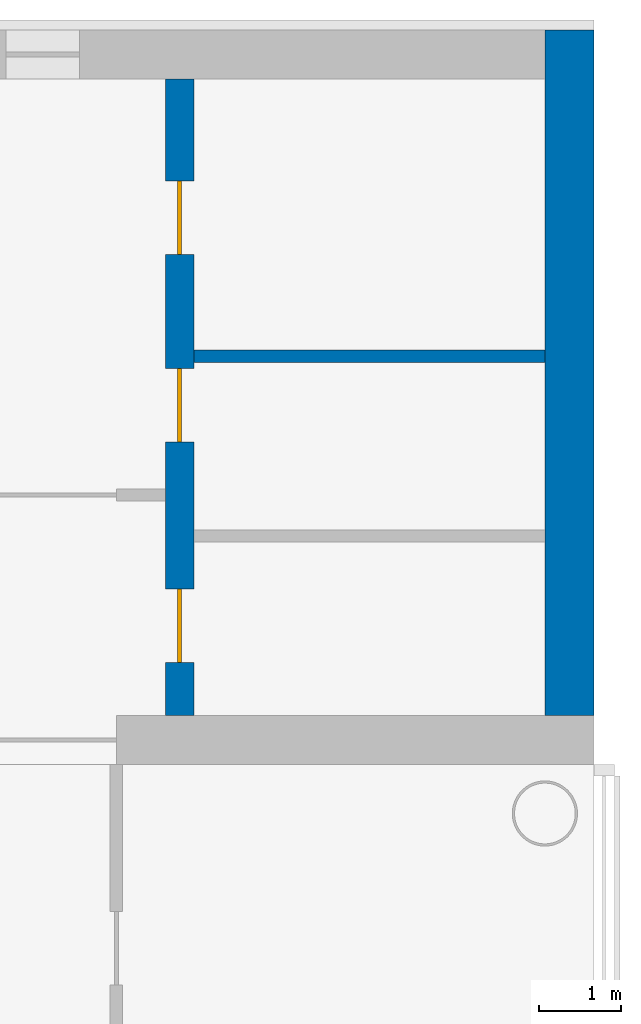
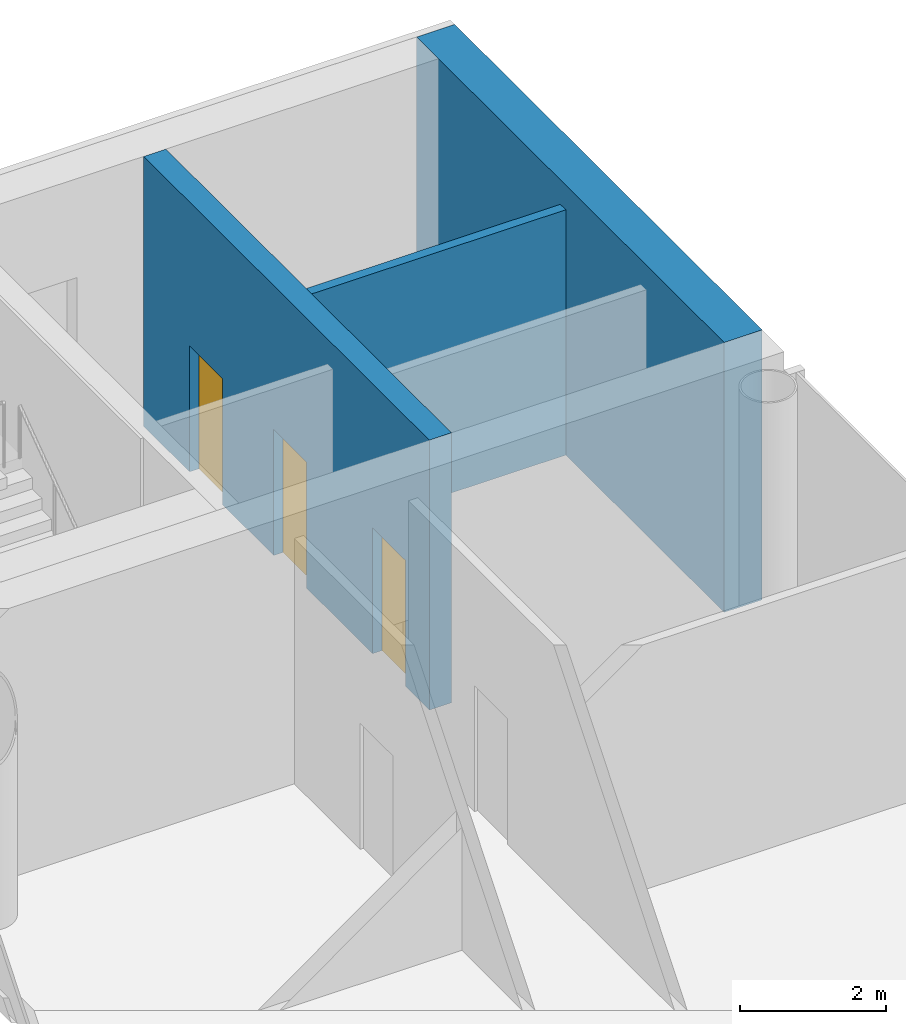
# One storey, part 7 of 12: 3 doors, 3 walls, 3 openings.
"""IFC4 building model written with IfcOpenShell, lengths in metres."""

import ifcopenshell
import ifcopenshell.guid

model = None  # the IFC model being written
_history = None  # IfcOwnerHistory: only IFC2X3 demands one
_inside = {}  # id of a spatial element -> (the spatial element, [elements in it])
_under = {}  # id of a project, library or spatial element -> (it, [spatial elements below it])
_declared = {}  # id of a project -> (the project, [libraries it declares])
_typed = {}  # id of a type object -> (the type object, [elements of that type])
_made_of = {}  # id of a material, layer set ... -> (it, [elements and type objects made of it])


def new_model(schema):
    """Start an empty IFC model of exactly this schema.

    Asked for "IFC4X3", IfcOpenShell would pick the latest addendum, in which some entities
    have other attributes; the version numbers below select the first issue.
    IFC2X3 requires an IfcOwnerHistory on every rooted entity: one is made here for all.
    """
    global model, _history
    if schema == "IFC4X3":
        model = ifcopenshell.file(schema_version=(4, 3, 0, 0))
    else:
        model = ifcopenshell.file(schema=schema)
    _inside.clear()
    _under.clear()
    _declared.clear()
    _typed.clear()
    _made_of.clear()
    _history = None
    if model.schema == "IFC2X3":
        org = make("IfcOrganization", Name="unknown")
        user = make(
            "IfcPersonAndOrganization",
            ThePerson=make("IfcPerson", FamilyName="unknown"),
            TheOrganization=org,
        )
        app = make(
            "IfcApplication",
            ApplicationDeveloper=org,
            Version="unknown",
            ApplicationFullName="unknown",
            ApplicationIdentifier="unknown",
        )
        _history = make(
            "IfcOwnerHistory",
            OwningUser=user,
            OwningApplication=app,
            ChangeAction="ADDED",
            CreationDate=0,
        )
    return model


def make(cls, **values):
    """One entity of the class cls with the attributes given. An attribute that is None is left unset."""
    return model.create_entity(
        cls, **{name: value for name, value in values.items() if value is not None}
    )


def rooted(cls, **values):
    """An entity with a GlobalId (a new one), such as an element, a storey or a relation."""
    return make(cls, GlobalId=ifcopenshell.guid.new(), OwnerHistory=_history, **values)


def si_unit(unit_type, name, prefix=None):
    """IfcSIUnit, for example si_unit("LENGTHUNIT", "METRE", prefix="MILLI")."""
    return make("IfcSIUnit", UnitType=unit_type, Prefix=prefix, Name=name)


def assignment(units):
    """IfcUnitAssignment: the units of a project."""
    return None if units is None else make("IfcUnitAssignment", Units=units)


def point(xyz):
    """IfcCartesianPoint."""
    return None if xyz is None else make("IfcCartesianPoint", Coordinates=xyz)


def direction(xyz):
    """IfcDirection."""
    return None if xyz is None else make("IfcDirection", DirectionRatios=xyz)


def frame(location, z_axis=None, x_axis=None):
    """IfcAxis2Placement3D, a coordinate frame: its origin and axes. An axis left out is left unset."""
    return make(
        "IfcAxis2Placement3D",
        Location=point(location),
        Axis=direction(z_axis),
        RefDirection=direction(x_axis),
    )


def frame_2d(location, x_axis=None):
    """IfcAxis2Placement2D, a coordinate frame in the plane: its origin and x axis."""
    return make(
        "IfcAxis2Placement2D", Location=point(location), RefDirection=direction(x_axis)
    )


def origin():
    """The frame at (0, 0, 0) with its axes left unset."""
    return frame((0.0, 0.0, 0.0))


def place(relative_to, where):
    """IfcLocalPlacement: puts the frame where relative to a parent placement (None: the world)."""
    return make(
        "IfcLocalPlacement", PlacementRelTo=relative_to, RelativePlacement=where
    )


def context(
    kind, dimensions, precision=None, world=None, true_north=None, identifier=None
):
    """IfcGeometricRepresentationContext, for example the 3D "Model" context."""
    return make(
        "IfcGeometricRepresentationContext",
        ContextIdentifier=identifier,
        ContextType=kind,
        CoordinateSpaceDimension=dimensions,
        Precision=precision,
        WorldCoordinateSystem=world,
        TrueNorth=true_north,
    )


def subcontext(parent, identifier, kind, view, scale=None):
    """IfcGeometricRepresentationSubContext, for example "Body" below "Model"."""
    return make(
        "IfcGeometricRepresentationSubContext",
        ContextIdentifier=identifier,
        ContextType=kind,
        ParentContext=parent,
        TargetScale=scale,
        TargetView=view,
    )


def project(units=None, contexts=None):
    """IfcProject with its units and contexts."""
    return rooted(
        "IfcProject",
        Name="project",
        RepresentationContexts=contexts,
        UnitsInContext=assignment(units),
    )


def spatial(cls, under=None, at=None, **own):
    """A site, building, storey or space (cls), placed at a placement, below another one or the project."""
    s = rooted(cls, ObjectPlacement=at, **own)
    if under is not None:
        _under.setdefault(under.id(), (under, []))[1].append(s)
    return s


def profile(cls, at=None, kind="AREA", **sizes):
    """A parametric profile (cls). Its sizes go by their IFC names, for example OverallWidth=200.0."""
    return make(cls, ProfileType=kind, Position=at, **sizes)


def rectangle(**sizes):
    """IfcRectangleProfileDef."""
    return profile("IfcRectangleProfileDef", **sizes)


def extrude(swept, where, along, depth):
    """IfcExtrudedAreaSolid: the profile swept, set in the frame where, extruded along a direction by depth."""
    return make(
        "IfcExtrudedAreaSolid",
        SweptArea=swept,
        Position=where,
        ExtrudedDirection=direction(along),
        Depth=depth,
    )


def shape(context_of_items, identifier, shape_type, items):
    """IfcShapeRepresentation: the items that make up one representation, for example the "Body"."""
    return make(
        "IfcShapeRepresentation",
        ContextOfItems=context_of_items,
        RepresentationIdentifier=identifier,
        RepresentationType=shape_type,
        Items=items,
    )


def material(Name=None, Category=None):
    """IfcMaterial."""
    return make("IfcMaterial", Name=Name, Category=Category)


def layer(
    of_material, thickness, ventilated=None, Name=None, Category=None, Priority=None
):
    """IfcMaterialLayer: one layer of a wall or slab, of a material (None: an air gap)."""
    return make(
        "IfcMaterialLayer",
        Material=of_material,
        LayerThickness=thickness,
        IsVentilated=ventilated,
        Name=Name,
        Category=Category,
        Priority=Priority,
    )


def layer_set(layers, Name=None):
    """IfcMaterialLayerSet."""
    return make("IfcMaterialLayerSet", MaterialLayers=layers, LayerSetName=Name)


def made_of(thing, what):
    """Note that an element or type object is made of a material, layer set ...; save() writes the relation."""
    if what is not None:
        _made_of.setdefault(what.id(), (what, []))[1].append(thing)
    return thing


def type_object(cls, material=None, **own):
    """A type object (cls), such as IfcWallType, which elements share."""
    return made_of(rooted(cls, **own), material)


def element(
    cls,
    number,
    at=None,
    inside=None,
    cuts=None,
    type_object=None,
    material=None,
    context=None,
    identifier="Body",
    shape_type=None,
    held_by="IfcProductDefinitionShape",
    body=None,
    shapes=None,
    **own,
):
    """One element of the class cls, such as IfcWall. Its Tag is "e" and its number.

    at: its placement. inside: the storey or other place that contains it. cuts: it is an
    opening in that element (IfcRelVoidsElement). A single representation is given by context,
    identifier, shape_type and body (its items); several are given by shapes. held_by: the class
    of the entity that holds the representations. save() writes the other relations.
    """
    e = rooted(cls, Tag="e%d" % number, ObjectPlacement=at, **own)
    if body is not None:
        shapes = [shape(context, identifier, shape_type, body)]
    if shapes is not None:
        e.Representation = make(held_by, Representations=shapes)
    if inside is not None:
        _inside.setdefault(inside.id(), (inside, []))[1].append(e)
    if cuts is not None:
        rooted(
            "IfcRelVoidsElement", RelatingBuildingElement=cuts, RelatedOpeningElement=e
        )
    if type_object is not None:
        _typed.setdefault(type_object.id(), (type_object, []))[1].append(e)
    return made_of(e, material)


def fill(opening, filler):
    """IfcRelFillsElement: the door or window that sits in an opening."""
    return rooted(
        "IfcRelFillsElement",
        RelatingOpeningElement=opening,
        RelatedBuildingElement=filler,
    )


def aggregate(whole, parts):
    """IfcRelAggregates: a whole, such as a stair, and the parts it consists of."""
    return rooted("IfcRelAggregates", RelatingObject=whole, RelatedObjects=parts)


def save(model, path):
    """Write the relations noted so far, then the file.

    IfcRelAggregates (storeys below a building ...), IfcRelContainedInSpatialStructure (elements
    in a storey), IfcRelDefinesByType, IfcRelAssociatesMaterial and IfcRelDeclares: one each for
    every whole, place, type object, material and project.
    """
    for whole, parts in _under.values():
        aggregate(whole, parts)
    for where, things in _inside.values():
        rooted(
            "IfcRelContainedInSpatialStructure",
            RelatedElements=things,
            RelatingStructure=where,
        )
    for kind, things in _typed.values():
        rooted("IfcRelDefinesByType", RelatedObjects=things, RelatingType=kind)
    for what, things in _made_of.values():
        rooted("IfcRelAssociatesMaterial", RelatedObjects=things, RelatingMaterial=what)
    for by, libraries in _declared.values():
        rooted("IfcRelDeclares", RelatingContext=by, RelatedDefinitions=libraries)
    model.write(path)


model = new_model("IFC4")

# Units and contexts
model_context = context("Model", 3, precision=1e-05, world=origin(), true_north=direction((0.0, 1.0)))
body_context = subcontext(model_context, "Body", "Model", "MODEL_VIEW")
ifc_project = project(units=[si_unit("LENGTHUNIT", "METRE"), si_unit("AREAUNIT", "SQUARE_METRE"), si_unit("VOLUMEUNIT", "CUBIC_METRE"), si_unit("PLANEANGLEUNIT", "RADIAN"), si_unit("MASSUNIT", "GRAM", prefix="KILO")], contexts=[model_context])

# Site, building, storey
site_placement = place(None, origin())
site = spatial("IfcSite", under=ifc_project, at=site_placement, CompositionType="ELEMENT")
building_placement = place(site_placement, origin())
building = spatial("IfcBuilding", under=site, at=building_placement, Name="Ipe Terrace Towers", CompositionType="ELEMENT")
storey_placement = place(building_placement, frame((0.0, 0.0, 260.39990234375)))
storey = spatial("IfcBuildingStorey", under=building, at=storey_placement, Name="L71", CompositionType="ELEMENT", Elevation=260.39990234375)

# Wall
ifc_material_1 = material(Name="Gypsum board partition", Category="plasterboard")
ifc_layer_1 = layer(ifc_material_1, 0.14990234375)
ifc_layer_set_1 = layer_set([ifc_layer_1], Name="Gypsum board partition 150 mm")
wall_type_1 = type_object("IfcWallType", Name="Gypsum board partition 150 mm", PredefinedType="PARTITIONING", material=ifc_layer_set_1)
wall_1_placement = place(storey_placement, frame((42.14990234375, 11.75, 0.0), z_axis=(0.0, 0.0, 1.0), x_axis=(-1.0, 0.0, 0.0)))
element("IfcWall", 1, at=wall_1_placement, inside=storey, type_object=wall_type_1, Name="Gypsum board partition T2 L71 t2c1-p3-div", PredefinedType="PARTITIONING", context=body_context, shape_type="SweptSolid", body=[
    extrude(rectangle(XDim=4.2998046875, YDim=0.14990234375, at=frame_2d((2.14990234375, 0.0))), origin(), (0.0, 0.0, 1.0), 4.090087890625),
])

# Wall, openings, doors
ifc_material_2 = material(Name="Concrete C40/50", Category="concrete")
ifc_layer_2 = layer(ifc_material_2, 0.35009765625)
ifc_layer_set_2 = layer_set([ifc_layer_2], Name="RW350 CORE SPINE WALL 350 C40-50")
wall_type_2 = type_object("IfcWallType", Name="RW350 CORE SPINE WALL 350 C40-50", PredefinedType="SHEAR", material=ifc_layer_set_2)
wall_2_placement = place(storey_placement, frame((37.675048828125, 7.35009765625, 0.0), z_axis=(0.0, 0.0, 1.0), x_axis=(0.0, 1.0, 0.0)))
wall_2 = element("IfcWall", 2, at=wall_2_placement, inside=storey, type_object=wall_type_2, Name="Core spine wall T2-C1-Z4-SW2", PredefinedType="SHEAR", context=body_context, shape_type="SweptSolid", body=[
    extrude(rectangle(XDim=7.7998046875, YDim=0.35009765625, at=frame_2d((3.89990234375, 0.0))), origin(), (0.0, 0.0, 1.0), 4.5),
])
opening_1_placement = place(wall_2_placement, frame((0.64990234375, 0.0, 0.0)))
opening_1 = element("IfcOpeningElement", 3, at=opening_1_placement, cuts=wall_2, Name="Opening T2C1-R1", PredefinedType="OPENING", context=body_context, shape_type="SweptSolid", body=[
    extrude(rectangle(XDim=0.89990234375, YDim=2.10009765625, at=frame_2d((0.449951171875, 1.050048828125))), frame((0.0, 0.18505859375, 0.0), z_axis=(0.0, -1.0, 0.0), x_axis=(1.0, 0.0, 0.0)), (0.0, 0.0, 1.0), 0.3701171875),
])
opening_2_placement = place(wall_2_placement, frame((3.35009765625, 0.0, 0.0)))
opening_2 = element("IfcOpeningElement", 4, at=opening_2_placement, cuts=wall_2, Name="Opening T2C1-R2", PredefinedType="OPENING", context=body_context, shape_type="SweptSolid", body=[
    extrude(rectangle(XDim=0.89990234375, YDim=2.10009765625, at=frame_2d((0.449951171875, 1.050048828125))), frame((0.0, 0.18505859375, 0.0), z_axis=(0.0, -1.0, 0.0), x_axis=(1.0, 0.0, 0.0)), (0.0, 0.0, 1.0), 0.3701171875),
])
opening_3_placement = place(wall_2_placement, frame((5.64990234375, 0.0, 0.0)))
opening_3 = element("IfcOpeningElement", 5, at=opening_3_placement, cuts=wall_2, Name="Opening T2C1-R3", PredefinedType="OPENING", context=body_context, shape_type="SweptSolid", body=[
    extrude(rectangle(XDim=0.89990234375, YDim=2.10009765625, at=frame_2d((0.449951171875, 1.050048828125))), frame((0.0, 0.18505859375, 0.0), z_axis=(0.0, -1.0, 0.0), x_axis=(1.0, 0.0, 0.0)), (0.0, 0.0, 1.0), 0.3701171875),
])
ifc_material_3 = material(Name="Fire-rated timber door leaf", Category="wood")
door_type = type_object("IfcDoorType", Name="Service door 900 x 2100 FD60", OperationType="NOTDEFINED", PredefinedType="DOOR", material=ifc_material_3)
door_1_placement = place(opening_1_placement, origin())
door_1 = element("IfcDoor", 6, at=door_1_placement, inside=storey, type_object=door_type, Name="Service door T2C1-R1", OperationType="SINGLE_SWING_RIGHT", OverallHeight=2.10009765625, OverallWidth=0.89990234375, PredefinedType="DOOR", context=body_context, shape_type="SweptSolid", body=[
    extrude(rectangle(XDim=0.89990234375, YDim=2.10009765625, at=frame_2d((0.449951171875, 1.050048828125))), frame((0.0, 0.02490234375, 0.0), z_axis=(0.0, -1.0, 0.0), x_axis=(1.0, 0.0, 0.0)), (0.0, 0.0, 1.0), 0.050048828125),
])
fill(opening_1, door_1)
door_2_placement = place(opening_2_placement, origin())
door_2 = element("IfcDoor", 7, at=door_2_placement, inside=storey, type_object=door_type, Name="Service door T2C1-R2", OperationType="SINGLE_SWING_LEFT", OverallHeight=2.10009765625, OverallWidth=0.89990234375, PredefinedType="DOOR", context=body_context, shape_type="SweptSolid", body=[
    extrude(rectangle(XDim=0.89990234375, YDim=2.10009765625, at=frame_2d((0.449951171875, 1.050048828125))), frame((0.0, 0.02490234375, 0.0), z_axis=(0.0, -1.0, 0.0), x_axis=(1.0, 0.0, 0.0)), (0.0, 0.0, 1.0), 0.050048828125),
])
fill(opening_2, door_2)
door_3_placement = place(opening_3_placement, origin())
door_3 = element("IfcDoor", 8, at=door_3_placement, inside=storey, type_object=door_type, Name="Service door T2C1-R3", OperationType="SINGLE_SWING_RIGHT", OverallHeight=2.10009765625, OverallWidth=0.89990234375, PredefinedType="DOOR", context=body_context, shape_type="SweptSolid", body=[
    extrude(rectangle(XDim=0.89990234375, YDim=2.10009765625, at=frame_2d((0.449951171875, 1.050048828125))), frame((0.0, 0.02490234375, 0.0), z_axis=(0.0, -1.0, 0.0), x_axis=(1.0, 0.0, 0.0)), (0.0, 0.0, 1.0), 0.050048828125),
])
fill(opening_3, door_3)

# Wall
ifc_material_4 = material(Name="Concrete C40/50", Category="concrete")
ifc_layer_3 = layer(ifc_material_4, 0.60009765625)
ifc_layer_set_3 = layer_set([ifc_layer_3], Name="RW600 CORE WALL 600 C40-50")
wall_type_3 = type_object("IfcWallType", Name="RW600 CORE WALL 600 C40-50", PredefinedType="SHEAR", material=ifc_layer_set_3)
wall_3_placement = place(storey_placement, frame((42.449951171875, 7.35009765625, 0.0), z_axis=(0.0, 0.0, 1.0), x_axis=(0.0, 1.0, 0.0)))
element("IfcWall", 9, at=wall_3_placement, inside=storey, type_object=wall_type_3, Name="Core wall T2-C1-Z4-W02", PredefinedType="SHEAR", context=body_context, shape_type="SweptSolid", body=[
    extrude(rectangle(XDim=8.39990234375, YDim=0.60009765625, at=frame_2d((4.199951171875, 0.0))), origin(), (0.0, 0.0, 1.0), 4.5),
])

save(model, "model.ifc")
